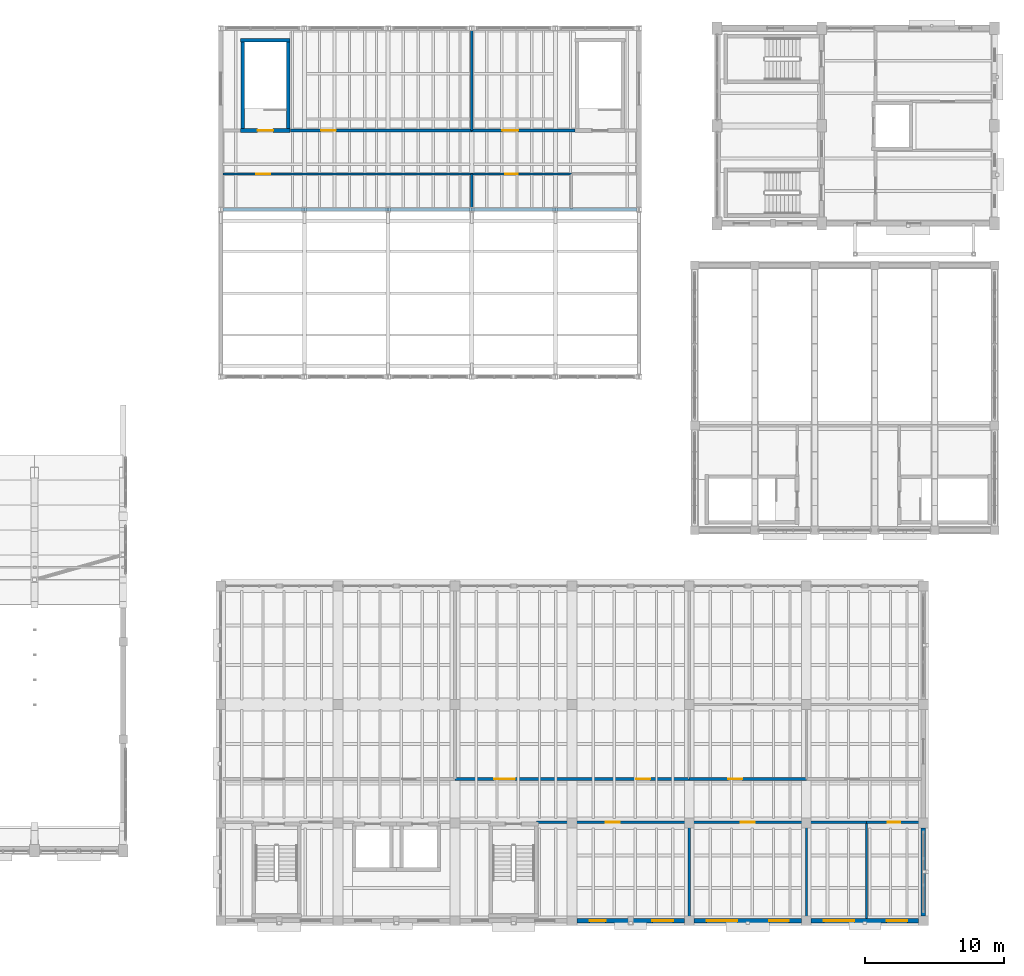
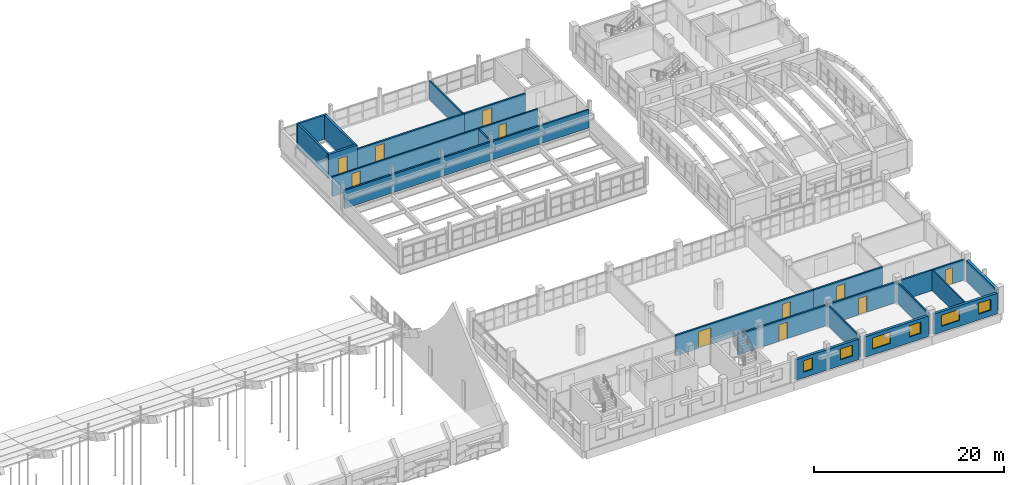
# One storey, part 63 of 77: 24 walls, 11 doors, 6 windows, 17 openings.
"""IFC4 building model written with IfcOpenShell, lengths in metres."""

from ifc_helpers import new_model, si_unit, direction, frame, frame_2d, origin, place, context, subcontext, project, spatial, rectangle, extrude, material, layer, layer_set, type_object, element, fill, save


model = new_model("IFC4")

# Units and contexts
model_context = context("Model", 3, precision=1e-05, world=origin(), true_north=direction((0.0, 1.0)))
body_context = subcontext(model_context, "Body", "Model", "MODEL_VIEW")
ifc_project = project(units=[si_unit("LENGTHUNIT", "METRE"), si_unit("AREAUNIT", "SQUARE_METRE"), si_unit("VOLUMEUNIT", "CUBIC_METRE"), si_unit("PLANEANGLEUNIT", "RADIAN"), si_unit("MASSUNIT", "GRAM", prefix="KILO")], contexts=[model_context])

# Site, building, storey
site_placement = place(None, origin())
site = spatial("IfcSite", under=ifc_project, at=site_placement, CompositionType="ELEMENT")
building_placement = place(site_placement, origin())
building = spatial("IfcBuilding", under=site, at=building_placement, Name="Trellovar Central Fire Station", CompositionType="ELEMENT")
storey_placement = place(building_placement, frame((0.0, 0.0, 5.85009765625)))
storey = spatial("IfcBuildingStorey", under=building, at=storey_placement, Name="L02", CompositionType="ELEMENT", Elevation=5.85009765625)

# Wall, openings, windows
ifc_material_1 = material(Name="Catalan polychrome brickwork with insulated cavity", Category="masonry")
ifc_layer_1 = layer(ifc_material_1, 0.320068359375)
ifc_layer_set_1 = layer_set([ifc_layer_1], Name="Catalan polychrome brickwork with insulated cavity")
wall_type_1 = type_object("IfcWallType", Name="EW-9", PredefinedType="STANDARD", material=ifc_layer_set_1)
wall_1_placement = place(storey_placement, frame((131.050048828125, 9.0, 0.0), z_axis=(0.0, 0.0, 1.0), x_axis=(1.0, 0.0, 0.0)))
wall_1 = element("IfcWall", 1, at=wall_1_placement, inside=storey, type_object=wall_type_1, Name="V5 L02 south wall 4", PredefinedType="STANDARD", context=body_context, shape_type="SweptSolid", body=[
    extrude(rectangle(XDim=7.699951171875, YDim=0.320068359375, at=frame_2d((3.85009765625, 0.0))), origin(), (0.0, 0.0, 1.0), 2.639892578125),
])
opening_1_placement = place(wall_1_placement, frame((0.89990234375, 0.0, 0.75)))
opening_1 = element("IfcOpeningElement", 2, at=opening_1_placement, cuts=wall_1, Name="Opening W-01", PredefinedType="OPENING", context=body_context, shape_type="SweptSolid", body=[
    extrude(rectangle(XDim=1.14990234375, YDim=1.449951171875, at=frame_2d((0.574951171875, 0.72509765625))), frame((0.0, 0.169921875, 0.0), z_axis=(0.0, -1.0, 0.0), x_axis=(1.0, 0.0, 0.0)), (0.0, 0.0, 1.0), 0.340087890625),
])
opening_2_placement = place(wall_1_placement, frame((5.39990234375, 0.0, 0.75)))
opening_2 = element("IfcOpeningElement", 3, at=opening_2_placement, cuts=wall_1, Name="Opening W-18", PredefinedType="OPENING", context=body_context, shape_type="SweptSolid", body=[
    extrude(rectangle(XDim=1.5, YDim=1.39990234375, at=frame_2d((0.75, 0.699951171875))), frame((0.0, 0.169921875, 0.0), z_axis=(0.0, -1.0, 0.0), x_axis=(1.0, 0.0, 0.0)), (0.0, 0.0, 1.0), 0.340087890625),
])
ifc_material_2 = material(Name="Thermally broken bronze anodized aluminum", Category="aluminium")
window_type_1 = type_object("IfcWindowType", Name="WIN-01", PartitioningType="SINGLE_PANEL", PredefinedType="WINDOW", material=ifc_material_2)
window_1_placement = place(opening_1_placement, origin())
window_1 = element("IfcWindow", 4, at=window_1_placement, inside=storey, type_object=window_type_1, Name="L02 window W-01", OverallHeight=1.449951171875, OverallWidth=1.14990234375, PartitioningType="SINGLE_PANEL", PredefinedType="WINDOW", context=body_context, shape_type="SweptSolid", body=[
    extrude(rectangle(XDim=1.14990234375, YDim=1.449951171875, at=frame_2d((0.574951171875, 0.72509765625))), frame((0.0, 0.030029296875, 0.0), z_axis=(0.0, -1.0, 0.0), x_axis=(1.0, 0.0, 0.0)), (0.0, 0.0, 1.0), 0.06005859375),
])
fill(opening_1, window_1)
ifc_material_3 = material(Name="Thermally broken bronze anodized aluminum", Category="aluminium")
window_type_2 = type_object("IfcWindowType", Name="WIN-18", PartitioningType="DOUBLE_PANEL_VERTICAL", PredefinedType="WINDOW", material=ifc_material_3)
window_2_placement = place(opening_2_placement, origin())
window_2 = element("IfcWindow", 5, at=window_2_placement, inside=storey, type_object=window_type_2, Name="L02 window W-18", OverallHeight=1.39990234375, OverallWidth=1.5, PartitioningType="DOUBLE_PANEL_VERTICAL", PredefinedType="WINDOW", context=body_context, shape_type="SweptSolid", body=[
    extrude(rectangle(XDim=1.5, YDim=1.39990234375, at=frame_2d((0.75, 0.699951171875))), frame((0.0, 0.030029296875, 0.0), z_axis=(0.0, -1.0, 0.0), x_axis=(1.0, 0.0, 0.0)), (0.0, 0.0, 1.0), 0.06005859375),
])
fill(opening_2, window_2)

wall_2_placement = place(storey_placement, frame((139.449951171875, 9.0, 0.0), z_axis=(0.0, 0.0, 1.0), x_axis=(1.0, 0.0, 0.0)))
wall_2 = element("IfcWall", 6, at=wall_2_placement, inside=storey, type_object=wall_type_1, Name="V5 L02 south wall 5", PredefinedType="STANDARD", context=body_context, shape_type="SweptSolid", body=[
    extrude(rectangle(XDim=7.699951171875, YDim=0.320068359375, at=frame_2d((3.85009765625, 0.0))), origin(), (0.0, 0.0, 1.0), 2.639892578125),
])
opening_3_placement = place(wall_2_placement, frame((0.89990234375, 0.0, 0.75)))
opening_3 = element("IfcOpeningElement", 7, at=opening_3_placement, cuts=wall_2, Name="Opening W-06", PredefinedType="OPENING", context=body_context, shape_type="SweptSolid", body=[
    extrude(rectangle(XDim=2.199951171875, YDim=1.449951171875, at=frame_2d((1.10009765625, 0.72509765625))), frame((0.0, 0.169921875, 0.0), z_axis=(0.0, -1.0, 0.0), x_axis=(1.0, 0.0, 0.0)), (0.0, 0.0, 1.0), 0.340087890625),
])
opening_4_placement = place(wall_2_placement, frame((5.39990234375, 0.0, 0.75)))
opening_4 = element("IfcOpeningElement", 8, at=opening_4_placement, cuts=wall_2, Name="Opening W-22", PredefinedType="OPENING", context=body_context, shape_type="SweptSolid", body=[
    extrude(rectangle(XDim=1.39990234375, YDim=1.449951171875, at=frame_2d((0.699951171875, 0.72509765625))), frame((0.0, 0.169921875, 0.0), z_axis=(0.0, -1.0, 0.0), x_axis=(1.0, 0.0, 0.0)), (0.0, 0.0, 1.0), 0.340087890625),
])
ifc_material_4 = material(Name="Thermally broken bronze anodized aluminum", Category="aluminium")
window_type_3 = type_object("IfcWindowType", Name="WIN-06", PartitioningType="TRIPLE_PANEL_VERTICAL", PredefinedType="WINDOW", material=ifc_material_4)
window_3_placement = place(opening_3_placement, origin())
window_3 = element("IfcWindow", 9, at=window_3_placement, inside=storey, type_object=window_type_3, Name="L02 window W-06", OverallHeight=1.449951171875, OverallWidth=2.199951171875, PartitioningType="TRIPLE_PANEL_VERTICAL", PredefinedType="WINDOW", context=body_context, shape_type="SweptSolid", body=[
    extrude(rectangle(XDim=2.199951171875, YDim=1.449951171875, at=frame_2d((1.10009765625, 0.72509765625))), frame((0.0, 0.030029296875, 0.0), z_axis=(0.0, -1.0, 0.0), x_axis=(1.0, 0.0, 0.0)), (0.0, 0.0, 1.0), 0.06005859375),
])
fill(opening_3, window_3)
ifc_material_5 = material(Name="Thermally broken bronze anodized aluminum", Category="aluminium")
window_type_4 = type_object("IfcWindowType", Name="WIN-22", PartitioningType="DOUBLE_PANEL_VERTICAL", PredefinedType="WINDOW", material=ifc_material_5)
window_4_placement = place(opening_4_placement, origin())
window_4 = element("IfcWindow", 10, at=window_4_placement, inside=storey, type_object=window_type_4, Name="L02 window W-22", OverallHeight=1.449951171875, OverallWidth=1.39990234375, PartitioningType="DOUBLE_PANEL_VERTICAL", PredefinedType="WINDOW", context=body_context, shape_type="SweptSolid", body=[
    extrude(rectangle(XDim=1.39990234375, YDim=1.449951171875, at=frame_2d((0.699951171875, 0.72509765625))), frame((0.0, 0.030029296875, 0.0), z_axis=(0.0, -1.0, 0.0), x_axis=(1.0, 0.0, 0.0)), (0.0, 0.0, 1.0), 0.06005859375),
])
fill(opening_4, window_4)

wall_3_placement = place(storey_placement, frame((147.85009765625, 9.0, 0.0), z_axis=(0.0, 0.0, 1.0), x_axis=(1.0, 0.0, 0.0)))
wall_3 = element("IfcWall", 11, at=wall_3_placement, inside=storey, type_object=wall_type_1, Name="V5 L02 south wall 6", PredefinedType="STANDARD", context=body_context, shape_type="SweptSolid", body=[
    extrude(rectangle(XDim=7.699951171875, YDim=0.320068359375, at=frame_2d((3.85009765625, 0.0))), origin(), (0.0, 0.0, 1.0), 2.639892578125),
])
opening_5_placement = place(wall_3_placement, frame((0.89990234375, 0.0, 0.75)))
opening_5 = element("IfcOpeningElement", 12, at=opening_5_placement, cuts=wall_3, Name="Opening W-06", PredefinedType="OPENING", context=body_context, shape_type="SweptSolid", body=[
    extrude(rectangle(XDim=2.199951171875, YDim=1.449951171875, at=frame_2d((1.10009765625, 0.72509765625))), frame((0.0, 0.169921875, 0.0), z_axis=(0.0, -1.0, 0.0), x_axis=(1.0, 0.0, 0.0)), (0.0, 0.0, 1.0), 0.340087890625),
])
opening_6_placement = place(wall_3_placement, frame((5.39990234375, 0.0, 0.75)))
opening_6 = element("IfcOpeningElement", 13, at=opening_6_placement, cuts=wall_3, Name="Opening W-18", PredefinedType="OPENING", context=body_context, shape_type="SweptSolid", body=[
    extrude(rectangle(XDim=1.5, YDim=1.39990234375, at=frame_2d((0.75, 0.699951171875))), frame((0.0, 0.169921875, 0.0), z_axis=(0.0, -1.0, 0.0), x_axis=(1.0, 0.0, 0.0)), (0.0, 0.0, 1.0), 0.340087890625),
])
window_5_placement = place(opening_5_placement, origin())
window_5 = element("IfcWindow", 14, at=window_5_placement, inside=storey, type_object=window_type_3, Name="L02 window W-06", OverallHeight=1.449951171875, OverallWidth=2.199951171875, PartitioningType="TRIPLE_PANEL_VERTICAL", PredefinedType="WINDOW", context=body_context, shape_type="SweptSolid", body=[
    extrude(rectangle(XDim=2.199951171875, YDim=1.449951171875, at=frame_2d((1.10009765625, 0.72509765625))), frame((0.0, 0.030029296875, 0.0), z_axis=(0.0, -1.0, 0.0), x_axis=(1.0, 0.0, 0.0)), (0.0, 0.0, 1.0), 0.06005859375),
])
fill(opening_5, window_5)
window_6_placement = place(opening_6_placement, origin())
window_6 = element("IfcWindow", 15, at=window_6_placement, inside=storey, type_object=window_type_2, Name="L02 window W-18", OverallHeight=1.39990234375, OverallWidth=1.5, PartitioningType="DOUBLE_PANEL_VERTICAL", PredefinedType="WINDOW", context=body_context, shape_type="SweptSolid", body=[
    extrude(rectangle(XDim=1.5, YDim=1.39990234375, at=frame_2d((0.75, 0.699951171875))), frame((0.0, 0.030029296875, 0.0), z_axis=(0.0, -1.0, 0.0), x_axis=(1.0, 0.0, 0.0)), (0.0, 0.0, 1.0), 0.06005859375),
])
fill(opening_6, window_6)

# Wall
wall_4_placement = place(storey_placement, frame((155.89990234375, 9.35009765625, 0.0), z_axis=(0.0, 0.0, 1.0), x_axis=(0.0, 1.0, 0.0)))
element("IfcWall", 16, at=wall_4_placement, inside=storey, type_object=wall_type_1, Name="V5 L02 east stepback wall", PredefinedType="STANDARD", context=body_context, shape_type="SweptSolid", body=[
    extrude(rectangle(XDim=6.2998046875, YDim=0.320068359375, at=frame_2d((3.14990234375, 0.0))), origin(), (0.0, 0.0, 1.0), 2.699951171875),
])

# Wall, opening, door
ifc_material_6 = material(Name="Acoustic concrete masonry unit", Category="masonry")
ifc_layer_2 = layer(ifc_material_6, 0.199951171875)
ifc_layer_set_2 = layer_set([ifc_layer_2], Name="Acoustic concrete masonry unit")
wall_type_2 = type_object("IfcWallType", Name="PT-1", PredefinedType="PARTITIONING", material=ifc_layer_set_2)
wall_5_placement = place(storey_placement, frame((128.139892578125, 16.050048828125, 0.0), z_axis=(0.0, 0.0, 1.0), x_axis=(1.0, 0.0, 0.0)))
wall_5 = element("IfcWall", 17, at=wall_5_placement, inside=storey, type_object=wall_type_2, Name="V5 L02 south corridor spine", PredefinedType="PARTITIONING", context=body_context, shape_type="SweptSolid", body=[
    extrude(rectangle(XDim=10.960205078125, YDim=0.199951171875, at=frame_2d((5.47998046875, 0.0))), origin(), (0.0, 0.0, 1.0), 2.64990234375),
])
opening_7_placement = place(wall_5_placement, frame((4.97998046875, 0.0, 0.0)))
opening_7 = element("IfcOpeningElement", 18, at=opening_7_placement, cuts=wall_5, Name="Opening ID-1", PredefinedType="OPENING", context=body_context, shape_type="SweptSolid", body=[
    extrude(rectangle(XDim=1.0, YDim=2.1201171875, at=frame_2d((0.5, 1.06005859375))), frame((0.0, 0.10986328125, 0.0), z_axis=(0.0, -1.0, 0.0), x_axis=(1.0, 0.0, 0.0)), (0.0, 0.0, 1.0), 0.219970703125),
])
ifc_material_7 = material(Name="Solid core acoustic white oak veneer", Category="wood")
door_type_1 = type_object("IfcDoorType", Name="DR-INT1", OperationType="SINGLE_SWING_LEFT", PredefinedType="DOOR", material=ifc_material_7)
door_1_placement = place(opening_7_placement, origin())
door_1 = element("IfcDoor", 19, at=door_1_placement, inside=storey, type_object=door_type_1, Name="V5 L02 south bay door", OperationType="SINGLE_SWING_LEFT", OverallHeight=2.1201171875, OverallWidth=1.0, PredefinedType="DOOR", context=body_context, shape_type="SweptSolid", body=[
    extrude(rectangle(XDim=1.0, YDim=2.1201171875, at=frame_2d((0.5, 1.06005859375))), frame((0.0, 0.02490234375, 0.0), z_axis=(0.0, -1.0, 0.0), x_axis=(1.0, 0.0, 0.0)), (0.0, 0.0, 1.0), 0.050048828125),
])
fill(opening_7, door_1)

wall_6_placement = place(storey_placement, frame((139.10009765625, 16.050048828125, 0.0), z_axis=(0.0, 0.0, 1.0), x_axis=(1.0, 0.0, 0.0)))
wall_6 = element("IfcWall", 20, at=wall_6_placement, inside=storey, type_object=wall_type_2, Name="V5 L02 south corridor spine", PredefinedType="PARTITIONING", context=body_context, shape_type="SweptSolid", body=[
    extrude(rectangle(XDim=8.39990234375, YDim=0.199951171875, at=frame_2d((4.199951171875, 0.0))), origin(), (0.0, 0.0, 1.0), 2.64990234375),
])
opening_8_placement = place(wall_6_placement, frame((3.699951171875, 0.0, 0.0)))
opening_8 = element("IfcOpeningElement", 21, at=opening_8_placement, cuts=wall_6, Name="Opening ID-1", PredefinedType="OPENING", context=body_context, shape_type="SweptSolid", body=[
    extrude(rectangle(XDim=1.0, YDim=2.1201171875, at=frame_2d((0.5, 1.06005859375))), frame((0.0, 0.10986328125, 0.0), z_axis=(0.0, -1.0, 0.0), x_axis=(1.0, 0.0, 0.0)), (0.0, 0.0, 1.0), 0.219970703125),
])
door_2_placement = place(opening_8_placement, origin())
door_2 = element("IfcDoor", 22, at=door_2_placement, inside=storey, type_object=door_type_1, Name="V5 L02 south bay door", OperationType="SINGLE_SWING_RIGHT", OverallHeight=2.1201171875, OverallWidth=1.0, PredefinedType="DOOR", context=body_context, shape_type="SweptSolid", body=[
    extrude(rectangle(XDim=1.0, YDim=2.1201171875, at=frame_2d((0.5, 1.06005859375))), frame((0.0, 0.02490234375, 0.0), z_axis=(0.0, -1.0, 0.0), x_axis=(1.0, 0.0, 0.0)), (0.0, 0.0, 1.0), 0.050048828125),
])
fill(opening_8, door_2)

# Wall
wall_7_placement = place(storey_placement, frame((147.5, 16.050048828125, 0.0), z_axis=(0.0, 0.0, 1.0), x_axis=(1.0, 0.0, 0.0)))
element("IfcWall", 23, at=wall_7_placement, inside=storey, type_object=wall_type_2, Name="V5 L02 south corridor spine", PredefinedType="PARTITIONING", context=body_context, shape_type="SweptSolid", body=[
    extrude(rectangle(XDim=4.300048828125, YDim=0.199951171875, at=frame_2d((2.14990234375, 0.0))), origin(), (0.0, 0.0, 1.0), 2.64990234375),
])

# Wall, opening, door
wall_8_placement = place(storey_placement, frame((151.800048828125, 16.050048828125, 0.0), z_axis=(0.0, 0.0, 1.0), x_axis=(1.0, 0.0, 0.0)))
wall_8 = element("IfcWall", 24, at=wall_8_placement, inside=storey, type_object=wall_type_2, Name="V5 L02 south corridor spine", PredefinedType="PARTITIONING", context=body_context, shape_type="SweptSolid", body=[
    extrude(rectangle(XDim=3.949951171875, YDim=0.199951171875, at=frame_2d((1.97509765625, 0.0))), origin(), (0.0, 0.0, 1.0), 2.64990234375),
])
opening_9_placement = place(wall_8_placement, frame((1.52490234375, 0.0, 0.0)))
opening_9 = element("IfcOpeningElement", 25, at=opening_9_placement, cuts=wall_8, Name="Opening ID-11", PredefinedType="OPENING", context=body_context, shape_type="SweptSolid", body=[
    extrude(rectangle(XDim=0.89990234375, YDim=2.080078125, at=frame_2d((0.449951171875, 1.0400390625))), frame((0.0, 0.10986328125, 0.0), z_axis=(0.0, -1.0, 0.0), x_axis=(1.0, 0.0, 0.0)), (0.0, 0.0, 1.0), 0.219970703125),
])
ifc_material_8 = material(Name="Solid core acoustic white oak veneer", Category="wood")
door_type_2 = type_object("IfcDoorType", Name="DR-INT11", OperationType="SINGLE_SWING_LEFT", PredefinedType="DOOR", material=ifc_material_8)
door_3_placement = place(opening_9_placement, origin())
door_3 = element("IfcDoor", 26, at=door_3_placement, inside=storey, type_object=door_type_2, Name="V5 L02 south bay door", OperationType="SINGLE_SWING_LEFT", OverallHeight=2.080078125, OverallWidth=0.89990234375, PredefinedType="DOOR", context=body_context, shape_type="SweptSolid", body=[
    extrude(rectangle(XDim=0.89990234375, YDim=2.080078125, at=frame_2d((0.449951171875, 1.0400390625))), frame((0.0, 0.02490234375, 0.0), z_axis=(0.0, -1.0, 0.0), x_axis=(1.0, 0.0, 0.0)), (0.0, 0.0, 1.0), 0.050048828125),
])
fill(opening_9, door_3)

# Wall, openings, doors
wall_9_placement = place(storey_placement, frame((122.300048828125, 19.14990234375, 0.0), z_axis=(0.0, 0.0, 1.0), x_axis=(1.0, 0.0, 0.0)))
wall_9 = element("IfcWall", 27, at=wall_9_placement, inside=storey, type_object=wall_type_2, Name="V5 L02 north corridor spine", PredefinedType="PARTITIONING", context=body_context, shape_type="SweptSolid", body=[
    extrude(rectangle(XDim=16.800048828125, YDim=0.199951171875, at=frame_2d((8.39990234375, 0.0))), origin(), (0.0, 0.0, 1.0), 2.64990234375),
])
opening_10_placement = place(wall_9_placement, frame((2.800048828125, 0.0, 0.0)))
opening_10 = element("IfcOpeningElement", 28, at=opening_10_placement, cuts=wall_9, Name="Opening ID-9", PredefinedType="OPENING", context=body_context, shape_type="SweptSolid", body=[
    extrude(rectangle(XDim=1.5, YDim=2.14990234375, at=frame_2d((0.75, 1.074951171875))), frame((0.0, 0.10986328125, 0.0), z_axis=(0.0, -1.0, 0.0), x_axis=(1.0, 0.0, 0.0)), (0.0, 0.0, 1.0), 0.219970703125),
])
opening_11_placement = place(wall_9_placement, frame((13.0, 0.0, 0.0)))
opening_11 = element("IfcOpeningElement", 29, at=opening_11_placement, cuts=wall_9, Name="Opening ID-1", PredefinedType="OPENING", context=body_context, shape_type="SweptSolid", body=[
    extrude(rectangle(XDim=1.0, YDim=2.1201171875, at=frame_2d((0.5, 1.06005859375))), frame((0.0, 0.10986328125, 0.0), z_axis=(0.0, -1.0, 0.0), x_axis=(1.0, 0.0, 0.0)), (0.0, 0.0, 1.0), 0.219970703125),
])
door_4_placement = place(opening_11_placement, origin())
door_4 = element("IfcDoor", 30, at=door_4_placement, inside=storey, type_object=door_type_1, Name="V5 L02 north secondary egress door", OperationType="SINGLE_SWING_LEFT", OverallHeight=2.1201171875, OverallWidth=1.0, PredefinedType="DOOR", context=body_context, shape_type="SweptSolid", body=[
    extrude(rectangle(XDim=1.0, YDim=2.1201171875, at=frame_2d((0.5, 1.06005859375))), frame((0.0, 0.02490234375, 0.0), z_axis=(0.0, -1.0, 0.0), x_axis=(1.0, 0.0, 0.0)), (0.0, 0.0, 1.0), 0.050048828125),
])
fill(opening_11, door_4)
ifc_material_9 = material(Name="Solid core acoustic white oak veneer", Category="wood")
door_type_3 = type_object("IfcDoorType", Name="DR-INT9", OperationType="DOUBLE_DOOR_SINGLE_SWING", PredefinedType="DOOR", material=ifc_material_9)
door_5_placement = place(opening_10_placement, origin())
door_5 = element("IfcDoor", 31, at=door_5_placement, inside=storey, type_object=door_type_3, Name="V5 L02 north hall door", OperationType="DOUBLE_DOOR_SINGLE_SWING", OverallHeight=2.14990234375, OverallWidth=1.5, PredefinedType="DOOR", context=body_context, shape_type="SweptSolid", body=[
    extrude(rectangle(XDim=1.5, YDim=2.14990234375, at=frame_2d((0.75, 1.074951171875))), frame((0.0, 0.02490234375, 0.0), z_axis=(0.0, -1.0, 0.0), x_axis=(1.0, 0.0, 0.0)), (0.0, 0.0, 1.0), 0.050048828125),
])
fill(opening_10, door_5)

# Wall, opening, door
wall_10_placement = place(storey_placement, frame((139.10009765625, 19.14990234375, 0.0), z_axis=(0.0, 0.0, 1.0), x_axis=(1.0, 0.0, 0.0)))
wall_10 = element("IfcWall", 32, at=wall_10_placement, inside=storey, type_object=wall_type_2, Name="V5 L02 north corridor spine", PredefinedType="PARTITIONING", context=body_context, shape_type="SweptSolid", body=[
    extrude(rectangle(XDim=8.39990234375, YDim=0.199951171875, at=frame_2d((4.199951171875, 0.0))), origin(), (0.0, 0.0, 1.0), 2.64990234375),
])
opening_12_placement = place(wall_10_placement, frame((2.800048828125, 0.0, 0.0)))
opening_12 = element("IfcOpeningElement", 33, at=opening_12_placement, cuts=wall_10, Name="Opening ID-1", PredefinedType="OPENING", context=body_context, shape_type="SweptSolid", body=[
    extrude(rectangle(XDim=1.0, YDim=2.1201171875, at=frame_2d((0.5, 1.06005859375))), frame((0.0, 0.10986328125, 0.0), z_axis=(0.0, -1.0, 0.0), x_axis=(1.0, 0.0, 0.0)), (0.0, 0.0, 1.0), 0.219970703125),
])
door_6_placement = place(opening_12_placement, origin())
door_6 = element("IfcDoor", 34, at=door_6_placement, inside=storey, type_object=door_type_1, Name="V5 L02 north hall door", OperationType="SINGLE_SWING_RIGHT", OverallHeight=2.1201171875, OverallWidth=1.0, PredefinedType="DOOR", context=body_context, shape_type="SweptSolid", body=[
    extrude(rectangle(XDim=1.0, YDim=2.1201171875, at=frame_2d((0.5, 1.06005859375))), frame((0.0, 0.02490234375, 0.0), z_axis=(0.0, -1.0, 0.0), x_axis=(1.0, 0.0, 0.0)), (0.0, 0.0, 1.0), 0.050048828125),
])
fill(opening_12, door_6)

# Wall
wall_11_placement = place(storey_placement, frame((105.64990234375, 60.0, 0.0), z_axis=(0.0, 0.0, 1.0), x_axis=(1.0, 0.0, 0.0)))
element("IfcWall", 35, at=wall_11_placement, inside=storey, type_object=wall_type_2, Name="V6 L02 workshop mezzanine spine wall", PredefinedType="PARTITIONING", context=body_context, shape_type="SweptSolid", body=[
    extrude(rectangle(XDim=29.7001953125, YDim=0.199951171875, at=frame_2d((14.85009765625, 0.0))), origin(), (0.0, 0.0, 1.0), 2.347900390625),
])

# Wall, opening, door
wall_12_placement = place(storey_placement, frame((110.5, 65.659912109375, 0.0), z_axis=(0.0, 0.0, 1.0), x_axis=(1.0, 0.0, 0.0)))
wall_12 = element("IfcWall", 36, at=wall_12_placement, inside=storey, type_object=wall_type_2, Name="V6 L02 north corridor wall", PredefinedType="PARTITIONING", context=body_context, shape_type="SweptSolid", body=[
    extrude(rectangle(XDim=13.0, YDim=0.199951171875, at=frame_2d((6.5, 0.0))), origin(), (0.0, 0.0, 1.0), 2.5498046875),
])
opening_13_placement = place(wall_12_placement, frame((2.199951171875, 0.0, 0.0)))
opening_13 = element("IfcOpeningElement", 37, at=opening_13_placement, cuts=wall_12, Name="Opening ID-5", PredefinedType="OPENING", context=body_context, shape_type="SweptSolid", body=[
    extrude(rectangle(XDim=1.050048828125, YDim=2.139892578125, at=frame_2d((0.52490234375, 1.06982421875))), frame((0.0, 0.10986328125, 0.0), z_axis=(0.0, -1.0, 0.0), x_axis=(1.0, 0.0, 0.0)), (0.0, 0.0, 1.0), 0.219970703125),
])
ifc_material_10 = material(Name="Hollow galvanized steel with acoustic core", Category="steel")
door_type_4 = type_object("IfcDoorType", Name="DR-INT5", OperationType="SINGLE_SWING_LEFT", PredefinedType="DOOR", material=ifc_material_10)
door_7_placement = place(opening_13_placement, origin())
door_7 = element("IfcDoor", 38, at=door_7_placement, inside=storey, type_object=door_type_4, Name="V6 L02 north technical room door", OperationType="SINGLE_SWING_LEFT", OverallHeight=2.139892578125, OverallWidth=1.050048828125, PredefinedType="DOOR", context=body_context, shape_type="SweptSolid", body=[
    extrude(rectangle(XDim=1.050048828125, YDim=2.139892578125, at=frame_2d((0.52490234375, 1.06982421875))), frame((0.0, 0.02490234375, 0.0), z_axis=(0.0, -1.0, 0.0), x_axis=(1.0, 0.0, 0.0)), (0.0, 0.0, 1.0), 0.050048828125),
])
fill(opening_13, door_7)

wall_13_placement = place(storey_placement, frame((123.5, 65.659912109375, 0.0), z_axis=(0.0, 0.0, 1.0), x_axis=(1.0, 0.0, 0.0)))
wall_13 = element("IfcWall", 39, at=wall_13_placement, inside=storey, type_object=wall_type_2, Name="V6 L02 north corridor wall", PredefinedType="PARTITIONING", context=body_context, shape_type="SweptSolid", body=[
    extrude(rectangle(XDim=7.39990234375, YDim=0.199951171875, at=frame_2d((3.699951171875, 0.0))), origin(), (0.0, 0.0, 1.0), 2.5498046875),
])
opening_14_placement = place(wall_13_placement, frame((2.199951171875, 0.0, 0.0)))
opening_14 = element("IfcOpeningElement", 40, at=opening_14_placement, cuts=wall_13, Name="Opening ID-12", PredefinedType="OPENING", context=body_context, shape_type="SweptSolid", body=[
    extrude(rectangle(XDim=1.1201171875, YDim=2.14990234375, at=frame_2d((0.56005859375, 1.074951171875))), frame((0.0, 0.10986328125, 0.0), z_axis=(0.0, -1.0, 0.0), x_axis=(1.0, 0.0, 0.0)), (0.0, 0.0, 1.0), 0.219970703125),
])
ifc_material_11 = material(Name="Hollow galvanized steel with acoustic core", Category="steel")
door_type_5 = type_object("IfcDoorType", Name="DR-INT12", OperationType="SINGLE_SWING_LEFT", PredefinedType="DOOR", material=ifc_material_11)
door_8_placement = place(opening_14_placement, origin())
door_8 = element("IfcDoor", 41, at=door_8_placement, inside=storey, type_object=door_type_5, Name="V6 L02 north technical room door", OperationType="SINGLE_SWING_RIGHT", OverallHeight=2.14990234375, OverallWidth=1.1201171875, PredefinedType="DOOR", context=body_context, shape_type="SweptSolid", body=[
    extrude(rectangle(XDim=1.1201171875, YDim=2.14990234375, at=frame_2d((0.56005859375, 1.074951171875))), frame((0.0, 0.02490234375, 0.0), z_axis=(0.0, -1.0, 0.0), x_axis=(1.0, 0.0, 0.0)), (0.0, 0.0, 1.0), 0.050048828125),
])
fill(opening_14, door_8)

ifc_material_12 = material(Name="Acoustic concrete masonry unit", Category="masonry")
ifc_layer_3 = layer(ifc_material_12, 0.159912109375)
ifc_layer_set_3 = layer_set([ifc_layer_3], Name="Acoustic concrete masonry unit")
wall_type_3 = type_object("IfcWallType", Name="PT-2", PredefinedType="PARTITIONING", material=ifc_layer_set_3)
wall_14_placement = place(storey_placement, frame((105.64990234375, 62.550048828125, 0.0), z_axis=(0.0, 0.0, 1.0), x_axis=(1.0, 0.0, 0.0)))
wall_14 = element("IfcWall", 42, at=wall_14_placement, inside=storey, type_object=wall_type_3, Name="V6 L02 south corridor wall", PredefinedType="PARTITIONING", context=body_context, shape_type="SweptSolid", body=[
    extrude(rectangle(XDim=17.85009765625, YDim=0.159912109375, at=frame_2d((8.925048828125, 0.0))), origin(), (0.0, 0.0, 1.0), 2.5498046875),
])
opening_15_placement = place(wall_14_placement, frame((2.39990234375, 0.0, 0.0)))
opening_15 = element("IfcOpeningElement", 43, at=opening_15_placement, cuts=wall_14, Name="Opening ID-1", PredefinedType="OPENING", context=body_context, shape_type="SweptSolid", body=[
    extrude(rectangle(XDim=1.0, YDim=2.1201171875, at=frame_2d((0.5, 1.06005859375))), frame((0.0, 0.08984375, 0.0), z_axis=(0.0, -1.0, 0.0), x_axis=(1.0, 0.0, 0.0)), (0.0, 0.0, 1.0), 0.179931640625),
])
door_9_placement = place(opening_15_placement, origin())
door_9 = element("IfcDoor", 44, at=door_9_placement, inside=storey, type_object=door_type_1, Name="V6 L02 shop door", OperationType="SINGLE_SWING_LEFT", OverallHeight=2.1201171875, OverallWidth=1.0, PredefinedType="DOOR", context=body_context, shape_type="SweptSolid", body=[
    extrude(rectangle(XDim=1.0, YDim=2.1201171875, at=frame_2d((0.5, 1.06005859375))), frame((0.0, 0.02490234375, 0.0), z_axis=(0.0, -1.0, 0.0), x_axis=(1.0, 0.0, 0.0)), (0.0, 0.0, 1.0), 0.050048828125),
])
fill(opening_15, door_9)

wall_15_placement = place(storey_placement, frame((123.5, 62.550048828125, 0.0), z_axis=(0.0, 0.0, 1.0), x_axis=(1.0, 0.0, 0.0)))
wall_15 = element("IfcWall", 45, at=wall_15_placement, inside=storey, type_object=wall_type_3, Name="V6 L02 south corridor wall", PredefinedType="PARTITIONING", context=body_context, shape_type="SweptSolid", body=[
    extrude(rectangle(XDim=7.14990234375, YDim=0.159912109375, at=frame_2d((3.574951171875, 0.0))), origin(), (0.0, 0.0, 1.0), 2.5498046875),
])
opening_16_placement = place(wall_15_placement, frame((2.39990234375, 0.0, 0.0)))
opening_16 = element("IfcOpeningElement", 46, at=opening_16_placement, cuts=wall_15, Name="Opening ID-11", PredefinedType="OPENING", context=body_context, shape_type="SweptSolid", body=[
    extrude(rectangle(XDim=0.89990234375, YDim=2.080078125, at=frame_2d((0.449951171875, 1.0400390625))), frame((0.0, 0.08984375, 0.0), z_axis=(0.0, -1.0, 0.0), x_axis=(1.0, 0.0, 0.0)), (0.0, 0.0, 1.0), 0.179931640625),
])
door_10_placement = place(opening_16_placement, origin())
door_10 = element("IfcDoor", 47, at=door_10_placement, inside=storey, type_object=door_type_2, Name="V6 L02 accessible WC door", OperationType="SINGLE_SWING_RIGHT", OverallHeight=2.080078125, OverallWidth=0.89990234375, PredefinedType="DOOR", context=body_context, shape_type="SweptSolid", body=[
    extrude(rectangle(XDim=0.89990234375, YDim=2.080078125, at=frame_2d((0.449951171875, 1.0400390625))), frame((0.0, 0.02490234375, 0.0), z_axis=(0.0, -1.0, 0.0), x_axis=(1.0, 0.0, 0.0)), (0.0, 0.0, 1.0), 0.050048828125),
])
fill(opening_16, door_10)

# Walls
wall_16_placement = place(storey_placement, frame((123.5, 60.050048828125, 0.0), z_axis=(0.0, 0.0, 1.0), x_axis=(0.0, 1.0, 0.0)))
element("IfcWall", 48, at=wall_16_placement, inside=storey, type_object=wall_type_3, Name="V6 L02 WC divider W", PredefinedType="PARTITIONING", context=body_context, shape_type="SweptSolid", body=[
    extrude(rectangle(XDim=2.5, YDim=0.159912109375, at=frame_2d((1.25, 0.0))), origin(), (0.0, 0.0, 1.0), 2.419189453125),
])
ifc_material_13 = material(Name="Acoustic concrete masonry unit", Category="masonry")
ifc_layer_4 = layer(ifc_material_13, 0.179931640625)
ifc_layer_set_4 = layer_set([ifc_layer_4], Name="Acoustic concrete masonry unit")
wall_type_4 = type_object("IfcWallType", Name="PT-5", PredefinedType="PARTITIONING", material=ifc_layer_set_4)
wall_17_placement = place(storey_placement, frame((123.5, 65.659912109375, 0.0), z_axis=(0.0, 0.0, 1.0), x_axis=(0.0, 1.0, 0.0)))
element("IfcWall", 49, at=wall_17_placement, inside=storey, type_object=wall_type_4, Name="V6 L02 plant divider", PredefinedType="PARTITIONING", context=body_context, shape_type="SweptSolid", body=[
    extrude(rectangle(XDim=7.190185546875, YDim=0.179931640625, at=frame_2d((3.59521484375, 0.0))), origin(), (0.0, 0.0, 1.0), 2.419189453125),
])
ifc_material_14 = material(Name="Fire-rated acoustic gypsum stud partition", Category="gypsum")
ifc_layer_5 = layer(ifc_material_14, 0.14990234375)
ifc_layer_set_5 = layer_set([ifc_layer_5], Name="Fire-rated acoustic gypsum stud partition")
wall_type_5 = type_object("IfcWallType", Name="PT-6", PredefinedType="PARTITIONING", material=ifc_layer_set_5)
for number, where, z_axis, x_axis, name in (
    (50, (139.10009765625, 9.14990234375, 0.0), (0.0, 0.0, 1.0), (0.0, 1.0, 0.0), "V5 L02 south room divider X=139.10"),
    (51, (147.5, 9.14990234375, 0.0), (0.0, 0.0, 1.0), (0.0, 1.0, 0.0), "V5 L02 south room divider X=147.50"),
    (52, (151.800048828125, 9.14990234375, 0.0), (0.0, 0.0, 1.0), (0.0, 1.0, 0.0), "V5 L02 south room divider X=151.80"),
):
    element("IfcWall", number, at=place(storey_placement, frame(where, z_axis=z_axis, x_axis=x_axis)), inside=storey, type_object=wall_type_5, Name=name, PredefinedType="PARTITIONING", context=body_context, shape_type="SweptSolid", body=[
        extrude(rectangle(XDim=6.900146484375, YDim=0.14990234375, at=frame_2d((3.4501953125, 0.0))), origin(), (0.0, 0.0, 1.0), 2.64990234375),
    ])

# Wall, opening, door
ifc_material_15 = material(Name="Concrete C40/50", Category="concrete")
ifc_layer_6 = layer(ifc_material_15, 0.280029296875)
ifc_layer_set_6 = layer_set([ifc_layer_6], Name="Concrete C40/50")
wall_type_6 = type_object("IfcWallType", Name="SW-1", PredefinedType="SHEAR", material=ifc_layer_set_6)
wall_18_placement = place(storey_placement, frame((110.47998046875, 65.659912109375, 0.0), z_axis=(0.0, 0.0, 1.0), x_axis=(-1.0, 0.0, 0.0)))
wall_18 = element("IfcWall", 53, at=wall_18_placement, inside=storey, type_object=wall_type_6, Name="Stair ST-07 L02 front corridor wall", PredefinedType="SHEAR", context=body_context, shape_type="SweptSolid", body=[
    extrude(rectangle(XDim=3.56005859375, YDim=0.280029296875, at=frame_2d((1.780029296875, 0.0))), origin(), (0.0, 0.0, 1.0), 3.099853515625),
])
opening_17_placement = place(wall_18_placement, frame((1.22998046875, 0.0, 0.0)))
opening_17 = element("IfcOpeningElement", 54, at=opening_17_placement, cuts=wall_18, Name="Opening SD-2", PredefinedType="OPENING", context=body_context, shape_type="SweptSolid", body=[
    extrude(rectangle(XDim=1.10009765625, YDim=2.14990234375, at=frame_2d((0.550048828125, 1.074951171875))), frame((0.0, 0.14990234375, 0.0), z_axis=(0.0, -1.0, 0.0), x_axis=(1.0, 0.0, 0.0)), (0.0, 0.0, 1.0), 0.300048828125),
])
ifc_material_16 = material(Name="Hollow galvanized steel with acoustic core", Category="steel")
door_type_6 = type_object("IfcDoorType", Name="DR-STR2", OperationType="SINGLE_SWING_LEFT", PredefinedType="DOOR", material=ifc_material_16)
door_11_placement = place(opening_17_placement, origin())
door_11 = element("IfcDoor", 55, at=door_11_placement, inside=storey, type_object=door_type_6, Name="Stair ST-07 L02 fire door", OperationType="SINGLE_SWING_RIGHT", OverallHeight=2.14990234375, OverallWidth=1.10009765625, PredefinedType="DOOR", context=body_context, shape_type="SweptSolid", body=[
    extrude(rectangle(XDim=1.10009765625, YDim=2.14990234375, at=frame_2d((0.550048828125, 1.074951171875))), frame((0.0, 0.02490234375, 0.0), z_axis=(0.0, -1.0, 0.0), x_axis=(1.0, 0.0, 0.0)), (0.0, 0.0, 1.0), 0.050048828125),
])
fill(opening_17, door_11)

# Walls
ifc_material_17 = material(Name="Concrete C40/50", Category="concrete")
ifc_layer_7 = layer(ifc_material_17, 0.25)
ifc_layer_set_7 = layer_set([ifc_layer_7], Name="Concrete C40/50")
wall_type_7 = type_object("IfcWallType", Name="SW-2", PredefinedType="SHEAR", material=ifc_layer_set_7)
wall_19_placement = place(storey_placement, frame((106.919921875, 72.139892578125, 0.0), z_axis=(0.0, 0.0, 1.0), x_axis=(1.0, 0.0, 0.0)))
element("IfcWall", 56, at=wall_19_placement, inside=storey, type_object=wall_type_7, Name="Stair ST-07 L02 rear wall", PredefinedType="SHEAR", context=body_context, shape_type="SweptSolid", body=[
    extrude(rectangle(XDim=3.56005859375, YDim=0.25, at=frame_2d((1.780029296875, 0.0))), origin(), (0.0, 0.0, 1.0), 3.099853515625),
])
for number, where, z_axis, x_axis, name in (
    (57, (110.340087890625, 65.800048828125, 0.0), (0.0, 0.0, 1.0), (0.0, 1.0, 0.0), "Stair ST-07 L02 left wall"),
    (58, (107.06005859375, 72.0, 0.0), (0.0, 0.0, 1.0), (0.0, -1.0, 0.0), "Stair ST-07 L02 right wall"),
):
    element("IfcWall", number, at=place(storey_placement, frame(where, z_axis=z_axis, x_axis=x_axis)), inside=storey, type_object=wall_type_7, Name=name, PredefinedType="SHEAR", context=body_context, shape_type="SweptSolid", body=[
        extrude(rectangle(XDim=6.199951171875, YDim=0.25, at=frame_2d((3.10009765625, 0.0))), origin(), (0.0, 0.0, 1.0), 3.099853515625),
    ])

save(model, "model.ifc")
